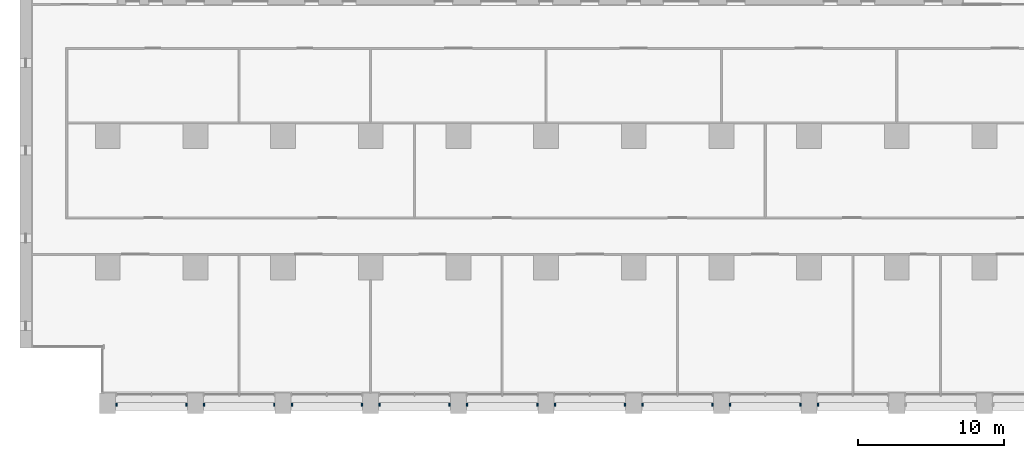
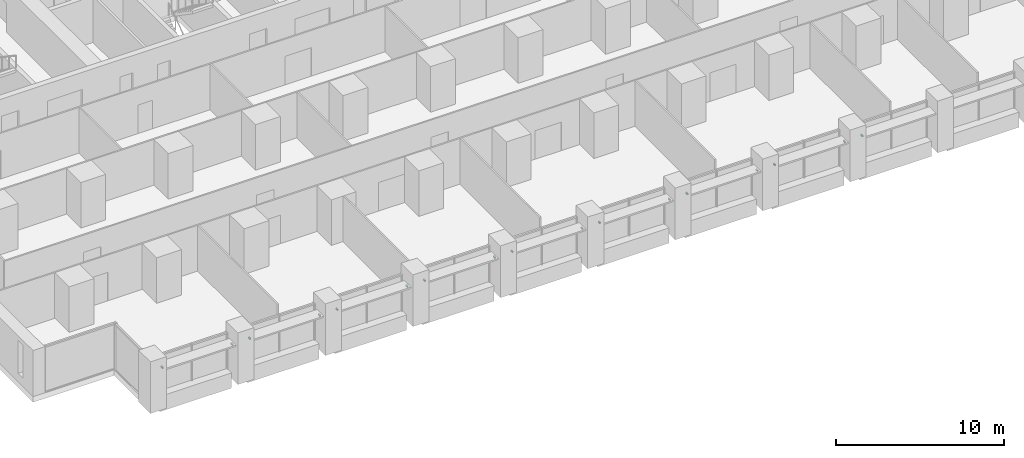
# One storey, part 15 of 18: 17 discrete accessories.
"""IFC4 building model written with IfcOpenShell, lengths in metres."""

from ifc_helpers import new_model, si_unit, direction, frame, origin, origin_2d, place, context, subcontext, project, spatial, rectangle, extrude, element, save


model = new_model("IFC4")

# Units and contexts
model_context = context("Model", 3, precision=1e-05, world=origin(), true_north=direction((0.0, 1.0)))
body_context = subcontext(model_context, "Body", "Model", "MODEL_VIEW")
ifc_project = project(units=[si_unit("LENGTHUNIT", "METRE"), si_unit("AREAUNIT", "SQUARE_METRE"), si_unit("VOLUMEUNIT", "CUBIC_METRE"), si_unit("PLANEANGLEUNIT", "RADIAN"), si_unit("MASSUNIT", "GRAM", prefix="KILO")], contexts=[model_context])

# Site, building, storey
site_placement = place(None, origin())
site = spatial("IfcSite", under=ifc_project, at=site_placement, CompositionType="ELEMENT")
building_placement = place(site_placement, origin())
building = spatial("IfcBuilding", under=site, at=building_placement, Name="Calvaro Tower", CompositionType="ELEMENT")
storey_placement = place(building_placement, frame((0.0, 0.0, 48.75)))
storey = spatial("IfcBuildingStorey", under=building, at=storey_placement, Name="L11", CompositionType="ELEMENT", Elevation=48.75)

# Discrete accessories
for number, where, z_axis, x_axis, name in (
    (1, (6.60009765625, 0.60009765625, 2.14990234375), (0.0, 0.0, 1.0), (1.0, 0.0, 0.0), "Brise-soleil bracket"),
    (2, (11.39990234375, 0.60009765625, 2.14990234375), (0.0, 0.0, 1.0), (1.0, 0.0, 0.0), "Brise-soleil bracket"),
    (3, (12.60009765625, 0.60009765625, 2.14990234375), (0.0, 0.0, 1.0), (1.0, 0.0, 0.0), "Brise-soleil bracket"),
    (4, (17.39990234375, 0.60009765625, 2.14990234375), (0.0, 0.0, 1.0), (1.0, 0.0, 0.0), "Brise-soleil bracket"),
    (5, (18.60009765625, 0.60009765625, 2.14990234375), (0.0, 0.0, 1.0), (1.0, 0.0, 0.0), "Brise-soleil bracket"),
    (6, (23.39990234375, 0.60009765625, 2.14990234375), (0.0, 0.0, 1.0), (1.0, 0.0, 0.0), "Brise-soleil bracket"),
    (7, (24.60009765625, 0.60009765625, 2.14990234375), (0.0, 0.0, 1.0), (1.0, 0.0, 0.0), "Brise-soleil bracket"),
    (8, (29.39990234375, 0.60009765625, 2.14990234375), (0.0, 0.0, 1.0), (1.0, 0.0, 0.0), "Brise-soleil bracket"),
    (9, (30.60009765625, 0.60009765625, 2.14990234375), (0.0, 0.0, 1.0), (1.0, 0.0, 0.0), "Brise-soleil bracket"),
    (10, (35.39990234375, 0.60009765625, 2.14990234375), (0.0, 0.0, 1.0), (1.0, 0.0, 0.0), "Brise-soleil bracket"),
    (11, (36.60009765625, 0.60009765625, 2.14990234375), (0.0, 0.0, 1.0), (1.0, 0.0, 0.0), "Brise-soleil bracket"),
    (12, (41.39990234375, 0.60009765625, 2.14990234375), (0.0, 0.0, 1.0), (1.0, 0.0, 0.0), "Brise-soleil bracket"),
    (13, (42.60009765625, 0.60009765625, 2.14990234375), (0.0, 0.0, 1.0), (1.0, 0.0, 0.0), "Brise-soleil bracket"),
    (14, (47.39990234375, 0.60009765625, 2.14990234375), (0.0, 0.0, 1.0), (1.0, 0.0, 0.0), "Brise-soleil bracket"),
    (15, (48.60009765625, 0.60009765625, 2.14990234375), (0.0, 0.0, 1.0), (1.0, 0.0, 0.0), "Brise-soleil bracket"),
    (16, (53.39990234375, 0.60009765625, 2.14990234375), (0.0, 0.0, 1.0), (1.0, 0.0, 0.0), "Brise-soleil bracket"),
    (17, (54.60009765625, 0.60009765625, 2.14990234375), (0.0, 0.0, 1.0), (1.0, 0.0, 0.0), "Brise-soleil bracket"),
):
    element("IfcDiscreteAccessory", number, at=place(storey_placement, frame(where, z_axis=z_axis, x_axis=x_axis)), inside=storey, Name=name, PredefinedType="BRACKET", context=body_context, shape_type="SweptSolid", body=[
        extrude(rectangle(XDim=0.10009765625, YDim=0.199951171875, at=origin_2d()), origin(), (0.0, 0.0, 1.0), 0.10009765625),
    ])

save(model, "model.ifc")
